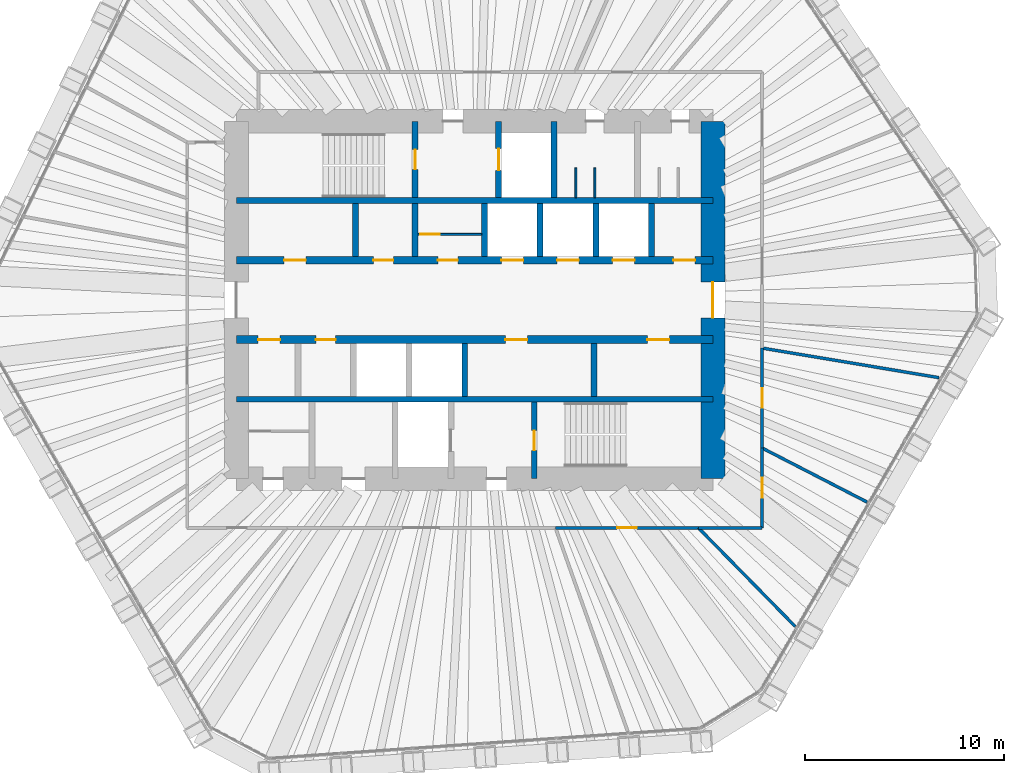
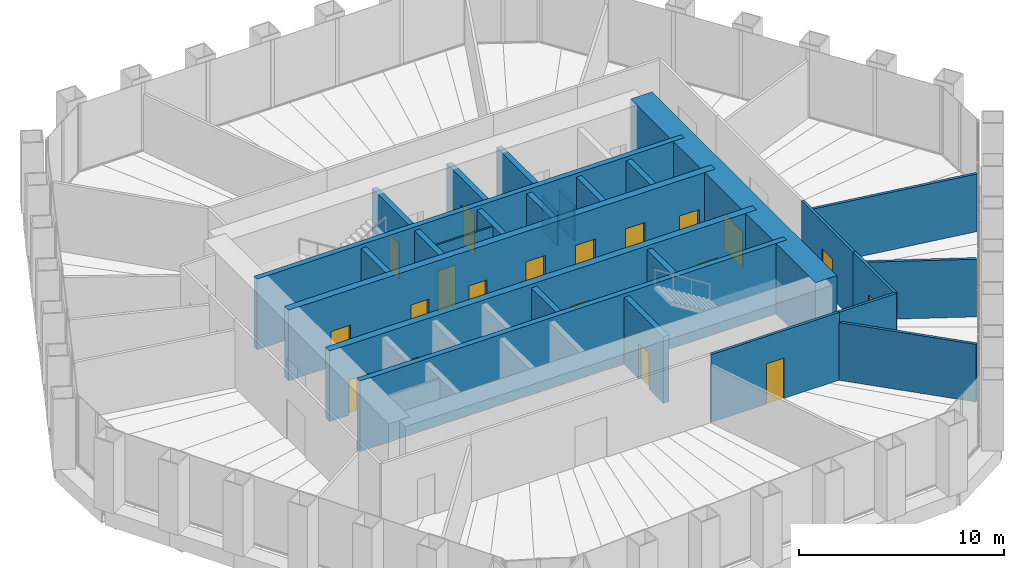
# One storey, part 10 of 12: 27 walls, 19 doors, 19 openings.
"""IFC4 building model written with IfcOpenShell, lengths in metres."""

from ifc_helpers import new_model, si_unit, direction, frame, frame_2d, origin, place, context, subcontext, project, spatial, rectangle, extrude, material, layer, layer_set, type_object, element, fill, save


model = new_model("IFC4")

# Units and contexts
model_context = context("Model", 3, precision=1e-05, world=origin(), true_north=direction((0.0, 1.0)))
body_context = subcontext(model_context, "Body", "Model", "MODEL_VIEW")
ifc_project = project(units=[si_unit("LENGTHUNIT", "METRE"), si_unit("AREAUNIT", "SQUARE_METRE"), si_unit("VOLUMEUNIT", "CUBIC_METRE"), si_unit("PLANEANGLEUNIT", "RADIAN"), si_unit("MASSUNIT", "GRAM", prefix="KILO")], contexts=[model_context])

# Site, building, storey
site_placement = place(None, origin())
site = spatial("IfcSite", under=ifc_project, at=site_placement, CompositionType="ELEMENT")
building_placement = place(site_placement, origin())
building = spatial("IfcBuilding", under=site, at=building_placement, Name="Qingtian Harvest Tower", CompositionType="ELEMENT")
storey_placement = place(building_placement, frame((0.0, 0.0, 184.60009765625)))
storey = spatial("IfcBuildingStorey", under=building, at=storey_placement, Name="L39", CompositionType="ELEMENT", Elevation=184.60009765625)

# Walls
ifc_material_1 = material(Name="Concrete fc' 70 MPa", Category="concrete")
ifc_layer_1 = layer(ifc_material_1, 0.300048828125)
ifc_layer_set_1 = layer_set([ifc_layer_1], Name="Core inner wall RC5 300")
wall_type_1 = type_object("IfcWallType", Name="Core inner wall RC5 300", PredefinedType="SHEAR", material=ifc_layer_set_1)
for number, where, z_axis, x_axis, name in (
    (1, (-12.0, 5.0, 0.0), (0.0, 0.0, 1.0), (1.0, 0.0, 0.0), "Core wall IN5 L39"),
    (2, (-12.0, -5.0, 0.0), (0.0, 0.0, 1.0), (1.0, 0.0, 0.0), "Core wall IS5 L39"),
):
    element("IfcWall", number, at=place(storey_placement, frame(where, z_axis=z_axis, x_axis=x_axis)), inside=storey, type_object=wall_type_1, Name=name, PredefinedType="SHEAR", context=body_context, shape_type="SweptSolid", body=[
        extrude(rectangle(XDim=24.0, YDim=0.300048828125, at=frame_2d((12.0, 0.0))), origin(), (0.0, 0.0, 1.0), 4.199951171875),
    ])

# Wall, openings, doors
ifc_material_2 = material(Name="Concrete fc' 70 MPa", Category="concrete")
ifc_layer_2 = layer(ifc_material_2, 0.39990234375)
ifc_layer_set_2 = layer_set([ifc_layer_2], Name="Core inner web RC6 400")
wall_type_2 = type_object("IfcWallType", Name="Core inner web RC6 400", PredefinedType="SHEAR", material=ifc_layer_set_2)
wall_1_placement = place(storey_placement, frame((-12.0, 2.0, 0.0), z_axis=(0.0, 0.0, 1.0), x_axis=(1.0, 0.0, 0.0)))
wall_1 = element("IfcWall", 3, at=wall_1_placement, inside=storey, type_object=wall_type_2, Name="Core wall IN2 L39", PredefinedType="SHEAR", context=body_context, shape_type="SweptSolid", body=[
    extrude(rectangle(XDim=24.0, YDim=0.39990234375, at=frame_2d((12.0, 0.0))), origin(), (0.0, 0.0, 1.0), 4.199951171875),
])
opening_1_placement = place(wall_1_placement, frame((2.39990234375, 0.0, 0.0)))
opening_1 = element("IfcOpeningElement", 4, at=opening_1_placement, cuts=wall_1, Name="Opening FD4", PredefinedType="OPENING", context=body_context, shape_type="SweptSolid", body=[
    extrude(rectangle(XDim=1.10009765625, YDim=2.10009765625, at=frame_2d((0.550048828125, 1.050048828125))), frame((0.0, 0.2099609375, 0.0), z_axis=(0.0, -1.0, 0.0), x_axis=(1.0, 0.0, 0.0)), (0.0, 0.0, 1.0), 0.419921875),
])
opening_2_placement = place(wall_1_placement, frame((22.0, 0.0, 0.0)))
opening_2 = element("IfcOpeningElement", 5, at=opening_2_placement, cuts=wall_1, Name="Opening FD4", PredefinedType="OPENING", context=body_context, shape_type="SweptSolid", body=[
    extrude(rectangle(XDim=1.10009765625, YDim=2.10009765625, at=frame_2d((0.550048828125, 1.050048828125))), frame((0.0, 0.2099609375, 0.0), z_axis=(0.0, -1.0, 0.0), x_axis=(1.0, 0.0, 0.0)), (0.0, 0.0, 1.0), 0.419921875),
])
opening_3_placement = place(wall_1_placement, frame((10.14990234375, 0.0, 0.0)))
opening_3 = element("IfcOpeningElement", 6, at=opening_3_placement, cuts=wall_1, Name="Opening FD1", PredefinedType="OPENING", context=body_context, shape_type="SweptSolid", body=[
    extrude(rectangle(XDim=1.0, YDim=2.10009765625, at=frame_2d((0.5, 1.050048828125))), frame((0.0, 0.2099609375, 0.0), z_axis=(0.0, -1.0, 0.0), x_axis=(1.0, 0.0, 0.0)), (0.0, 0.0, 1.0), 0.419921875),
])
opening_4_placement = place(wall_1_placement, frame((6.89990234375, 0.0, 0.0)))
opening_4 = element("IfcOpeningElement", 7, at=opening_4_placement, cuts=wall_1, Name="Opening FD1", PredefinedType="OPENING", context=body_context, shape_type="SweptSolid", body=[
    extrude(rectangle(XDim=1.0, YDim=2.10009765625, at=frame_2d((0.5, 1.050048828125))), frame((0.0, 0.2099609375, 0.0), z_axis=(0.0, -1.0, 0.0), x_axis=(1.0, 0.0, 0.0)), (0.0, 0.0, 1.0), 0.419921875),
])
opening_5_placement = place(wall_1_placement, frame((13.35009765625, 0.0, 0.0)))
opening_5 = element("IfcOpeningElement", 8, at=opening_5_placement, cuts=wall_1, Name="Opening LD1", PredefinedType="OPENING", context=body_context, shape_type="SweptSolid", body=[
    extrude(rectangle(XDim=1.10009765625, YDim=2.39990234375, at=frame_2d((0.550048828125, 1.199951171875))), frame((0.0, 0.2099609375, 0.0), z_axis=(0.0, -1.0, 0.0), x_axis=(1.0, 0.0, 0.0)), (0.0, 0.0, 1.0), 0.419921875),
])
opening_6_placement = place(wall_1_placement, frame((16.14990234375, 0.0, 0.0)))
opening_6 = element("IfcOpeningElement", 9, at=opening_6_placement, cuts=wall_1, Name="Opening LD1", PredefinedType="OPENING", context=body_context, shape_type="SweptSolid", body=[
    extrude(rectangle(XDim=1.10009765625, YDim=2.39990234375, at=frame_2d((0.550048828125, 1.199951171875))), frame((0.0, 0.2099609375, 0.0), z_axis=(0.0, -1.0, 0.0), x_axis=(1.0, 0.0, 0.0)), (0.0, 0.0, 1.0), 0.419921875),
])
opening_7_placement = place(wall_1_placement, frame((18.949951171875, 0.0, 0.0)))
opening_7 = element("IfcOpeningElement", 10, at=opening_7_placement, cuts=wall_1, Name="Opening LD1", PredefinedType="OPENING", context=body_context, shape_type="SweptSolid", body=[
    extrude(rectangle(XDim=1.10009765625, YDim=2.39990234375, at=frame_2d((0.550048828125, 1.199951171875))), frame((0.0, 0.2099609375, 0.0), z_axis=(0.0, -1.0, 0.0), x_axis=(1.0, 0.0, 0.0)), (0.0, 0.0, 1.0), 0.419921875),
])
ifc_material_3 = material(Name="Steel-faced door leaf", Category="steel")
door_type_1 = type_object("IfcDoorType", Name="Fire door FD1 single 1 HR", OperationType="SINGLE_SWING_LEFT", PredefinedType="DOOR", material=ifc_material_3)
door_1_placement = place(opening_3_placement, origin())
door_1 = element("IfcDoor", 11, at=door_1_placement, inside=storey, type_object=door_type_1, Name="STA door L39", OperationType="SINGLE_SWING_LEFT", OverallHeight=2.10009765625, OverallWidth=1.0, PredefinedType="DOOR", context=body_context, shape_type="SweptSolid", body=[
    extrude(rectangle(XDim=1.0, YDim=2.10009765625, at=frame_2d((0.5, 1.050048828125))), frame((0.0, 0.02490234375, 0.0), z_axis=(0.0, -1.0, 0.0), x_axis=(1.0, 0.0, 0.0)), (0.0, 0.0, 1.0), 0.050048828125),
])
fill(opening_3, door_1)
door_2_placement = place(opening_4_placement, origin())
door_2 = element("IfcDoor", 12, at=door_2_placement, inside=storey, type_object=door_type_1, Name="Staff WC door L39", OperationType="SINGLE_SWING_LEFT", OverallHeight=2.10009765625, OverallWidth=1.0, PredefinedType="DOOR", context=body_context, shape_type="SweptSolid", body=[
    extrude(rectangle(XDim=1.0, YDim=2.10009765625, at=frame_2d((0.5, 1.050048828125))), frame((0.0, 0.02490234375, 0.0), z_axis=(0.0, -1.0, 0.0), x_axis=(1.0, 0.0, 0.0)), (0.0, 0.0, 1.0), 0.050048828125),
])
fill(opening_4, door_2)
ifc_material_4 = material(Name="Steel-faced door leaf", Category="steel")
door_type_2 = type_object("IfcDoorType", Name="Fire door FD4 single 2 HR", OperationType="SINGLE_SWING_LEFT", PredefinedType="DOOR", material=ifc_material_4)
door_3_placement = place(opening_1_placement, origin())
door_3 = element("IfcDoor", 13, at=door_3_placement, inside=storey, type_object=door_type_2, Name="RA door L39", OperationType="SINGLE_SWING_LEFT", OverallHeight=2.10009765625, OverallWidth=1.10009765625, PredefinedType="DOOR", context=body_context, shape_type="SweptSolid", body=[
    extrude(rectangle(XDim=1.10009765625, YDim=2.10009765625, at=frame_2d((0.550048828125, 1.050048828125))), frame((0.0, 0.02490234375, 0.0), z_axis=(0.0, -1.0, 0.0), x_axis=(1.0, 0.0, 0.0)), (0.0, 0.0, 1.0), 0.050048828125),
])
fill(opening_1, door_3)
door_4_placement = place(opening_2_placement, origin())
door_4 = element("IfcDoor", 14, at=door_4_placement, inside=storey, type_object=door_type_2, Name="AHU door L39", OperationType="SINGLE_SWING_RIGHT", OverallHeight=2.10009765625, OverallWidth=1.10009765625, PredefinedType="DOOR", context=body_context, shape_type="SweptSolid", body=[
    extrude(rectangle(XDim=1.10009765625, YDim=2.10009765625, at=frame_2d((0.550048828125, 1.050048828125))), frame((0.0, 0.02490234375, 0.0), z_axis=(0.0, -1.0, 0.0), x_axis=(1.0, 0.0, 0.0)), (0.0, 0.0, 1.0), 0.050048828125),
])
fill(opening_2, door_4)
ifc_material_5 = material(Name="Stainless steel lift landing door", Category="steel")
door_type_3 = type_object("IfcDoorType", Name="Lift landing door LD1 1 HR", OperationType="DOUBLE_DOOR_SLIDING", PredefinedType="DOOR", material=ifc_material_5)
door_5_placement = place(opening_5_placement, origin())
door_5 = element("IfcDoor", 15, at=door_5_placement, inside=storey, type_object=door_type_3, Name="PLC1 landing door L39", OperationType="DOUBLE_DOOR_SLIDING", OverallHeight=2.39990234375, OverallWidth=1.10009765625, PredefinedType="DOOR", context=body_context, shape_type="SweptSolid", body=[
    extrude(rectangle(XDim=1.10009765625, YDim=2.39990234375, at=frame_2d((0.550048828125, 1.199951171875))), frame((0.0, 0.02490234375, 0.0), z_axis=(0.0, -1.0, 0.0), x_axis=(1.0, 0.0, 0.0)), (0.0, 0.0, 1.0), 0.050048828125),
])
fill(opening_5, door_5)
door_6_placement = place(opening_6_placement, origin())
door_6 = element("IfcDoor", 16, at=door_6_placement, inside=storey, type_object=door_type_3, Name="PLC2 landing door L39", OperationType="DOUBLE_DOOR_SLIDING", OverallHeight=2.39990234375, OverallWidth=1.10009765625, PredefinedType="DOOR", context=body_context, shape_type="SweptSolid", body=[
    extrude(rectangle(XDim=1.10009765625, YDim=2.39990234375, at=frame_2d((0.550048828125, 1.199951171875))), frame((0.0, 0.02490234375, 0.0), z_axis=(0.0, -1.0, 0.0), x_axis=(1.0, 0.0, 0.0)), (0.0, 0.0, 1.0), 0.050048828125),
])
fill(opening_6, door_6)
door_7_placement = place(opening_7_placement, origin())
door_7 = element("IfcDoor", 17, at=door_7_placement, inside=storey, type_object=door_type_3, Name="PLC3 landing door L39", OperationType="DOUBLE_DOOR_SLIDING", OverallHeight=2.39990234375, OverallWidth=1.10009765625, PredefinedType="DOOR", context=body_context, shape_type="SweptSolid", body=[
    extrude(rectangle(XDim=1.10009765625, YDim=2.39990234375, at=frame_2d((0.550048828125, 1.199951171875))), frame((0.0, 0.02490234375, 0.0), z_axis=(0.0, -1.0, 0.0), x_axis=(1.0, 0.0, 0.0)), (0.0, 0.0, 1.0), 0.050048828125),
])
fill(opening_7, door_7)

wall_2_placement = place(storey_placement, frame((-12.0, -2.0, 0.0), z_axis=(0.0, 0.0, 1.0), x_axis=(1.0, 0.0, 0.0)))
wall_2 = element("IfcWall", 18, at=wall_2_placement, inside=storey, type_object=wall_type_2, Name="Core wall IS2 L39", PredefinedType="SHEAR", context=body_context, shape_type="SweptSolid", body=[
    extrude(rectangle(XDim=24.0, YDim=0.39990234375, at=frame_2d((12.0, 0.0))), origin(), (0.0, 0.0, 1.0), 4.199951171875),
])
opening_8_placement = place(wall_2_placement, frame((1.10009765625, 0.0, 0.0)))
opening_8 = element("IfcOpeningElement", 19, at=opening_8_placement, cuts=wall_2, Name="Opening FD4", PredefinedType="OPENING", context=body_context, shape_type="SweptSolid", body=[
    extrude(rectangle(XDim=1.10009765625, YDim=2.10009765625, at=frame_2d((0.550048828125, 1.050048828125))), frame((0.0, 0.2099609375, 0.0), z_axis=(0.0, -1.0, 0.0), x_axis=(1.0, 0.0, 0.0)), (0.0, 0.0, 1.0), 0.419921875),
])
opening_9_placement = place(wall_2_placement, frame((13.550048828125, 0.0, 0.0)))
opening_9 = element("IfcOpeningElement", 20, at=opening_9_placement, cuts=wall_2, Name="Opening FD4", PredefinedType="OPENING", context=body_context, shape_type="SweptSolid", body=[
    extrude(rectangle(XDim=1.10009765625, YDim=2.10009765625, at=frame_2d((0.550048828125, 1.050048828125))), frame((0.0, 0.2099609375, 0.0), z_axis=(0.0, -1.0, 0.0), x_axis=(1.0, 0.0, 0.0)), (0.0, 0.0, 1.0), 0.419921875),
])
opening_10_placement = place(wall_2_placement, frame((20.699951171875, 0.0, 0.0)))
opening_10 = element("IfcOpeningElement", 21, at=opening_10_placement, cuts=wall_2, Name="Opening FD4", PredefinedType="OPENING", context=body_context, shape_type="SweptSolid", body=[
    extrude(rectangle(XDim=1.10009765625, YDim=2.10009765625, at=frame_2d((0.550048828125, 1.050048828125))), frame((0.0, 0.2099609375, 0.0), z_axis=(0.0, -1.0, 0.0), x_axis=(1.0, 0.0, 0.0)), (0.0, 0.0, 1.0), 0.419921875),
])
opening_11_placement = place(wall_2_placement, frame((4.0, 0.0, 0.0)))
opening_11 = element("IfcOpeningElement", 22, at=opening_11_placement, cuts=wall_2, Name="Opening FD1", PredefinedType="OPENING", context=body_context, shape_type="SweptSolid", body=[
    extrude(rectangle(XDim=1.0, YDim=2.10009765625, at=frame_2d((0.5, 1.050048828125))), frame((0.0, 0.2099609375, 0.0), z_axis=(0.0, -1.0, 0.0), x_axis=(1.0, 0.0, 0.0)), (0.0, 0.0, 1.0), 0.419921875),
])
door_8_placement = place(opening_11_placement, origin())
door_8 = element("IfcDoor", 23, at=door_8_placement, inside=storey, type_object=door_type_1, Name="IT room door L39", OperationType="SINGLE_SWING_RIGHT", OverallHeight=2.10009765625, OverallWidth=1.0, PredefinedType="DOOR", context=body_context, shape_type="SweptSolid", body=[
    extrude(rectangle(XDim=1.0, YDim=2.10009765625, at=frame_2d((0.5, 1.050048828125))), frame((0.0, 0.02490234375, 0.0), z_axis=(0.0, -1.0, 0.0), x_axis=(1.0, 0.0, 0.0)), (0.0, 0.0, 1.0), 0.050048828125),
])
fill(opening_11, door_8)
door_9_placement = place(opening_8_placement, origin())
door_9 = element("IfcDoor", 24, at=door_9_placement, inside=storey, type_object=door_type_2, Name="RB door L39", OperationType="SINGLE_SWING_RIGHT", OverallHeight=2.10009765625, OverallWidth=1.10009765625, PredefinedType="DOOR", context=body_context, shape_type="SweptSolid", body=[
    extrude(rectangle(XDim=1.10009765625, YDim=2.10009765625, at=frame_2d((0.550048828125, 1.050048828125))), frame((0.0, 0.02490234375, 0.0), z_axis=(0.0, -1.0, 0.0), x_axis=(1.0, 0.0, 0.0)), (0.0, 0.0, 1.0), 0.050048828125),
])
fill(opening_8, door_9)
door_10_placement = place(opening_9_placement, origin())
door_10 = element("IfcDoor", 25, at=door_10_placement, inside=storey, type_object=door_type_2, Name="ELEC door L39", OperationType="SINGLE_SWING_LEFT", OverallHeight=2.10009765625, OverallWidth=1.10009765625, PredefinedType="DOOR", context=body_context, shape_type="SweptSolid", body=[
    extrude(rectangle(XDim=1.10009765625, YDim=2.10009765625, at=frame_2d((0.550048828125, 1.050048828125))), frame((0.0, 0.02490234375, 0.0), z_axis=(0.0, -1.0, 0.0), x_axis=(1.0, 0.0, 0.0)), (0.0, 0.0, 1.0), 0.050048828125),
])
fill(opening_9, door_10)
door_11_placement = place(opening_10_placement, origin())
door_11 = element("IfcDoor", 26, at=door_11_placement, inside=storey, type_object=door_type_2, Name="DUCT door L39", OperationType="SINGLE_SWING_LEFT", OverallHeight=2.10009765625, OverallWidth=1.10009765625, PredefinedType="DOOR", context=body_context, shape_type="SweptSolid", body=[
    extrude(rectangle(XDim=1.10009765625, YDim=2.10009765625, at=frame_2d((0.550048828125, 1.050048828125))), frame((0.0, 0.02490234375, 0.0), z_axis=(0.0, -1.0, 0.0), x_axis=(1.0, 0.0, 0.0)), (0.0, 0.0, 1.0), 0.050048828125),
])
fill(opening_10, door_11)

# Wall, opening, door
ifc_material_6 = material(Name="Precast concrete shaft panel", Category="concrete")
ifc_layer_3 = layer(ifc_material_6, 0.300048828125)
ifc_layer_set_3 = layer_set([ifc_layer_3], Name="Core shaft partition SW1 300")
wall_type_3 = type_object("IfcWallType", Name="Core shaft partition SW1 300", PredefinedType="PARTITIONING", material=ifc_layer_set_3)
wall_3_placement = place(storey_placement, frame((-3.0, 5.14990234375, 0.0), z_axis=(0.0, 0.0, 1.0), x_axis=(0.0, 1.0, 0.0)))
wall_3 = element("IfcWall", 27, at=wall_3_placement, inside=storey, type_object=wall_type_3, Name="Core shaft partition XN1 L39", PredefinedType="PARTITIONING", context=body_context, shape_type="SweptSolid", body=[
    extrude(rectangle(XDim=3.85009765625, YDim=0.300048828125, at=frame_2d((1.925048828125, 0.0))), origin(), (0.0, 0.0, 1.0), 3.97998046875),
])
opening_12_placement = place(wall_3_placement, frame((1.425048828125, 0.0, 0.0)))
opening_12 = element("IfcOpeningElement", 28, at=opening_12_placement, cuts=wall_3, Name="Opening FD1", PredefinedType="OPENING", context=body_context, shape_type="SweptSolid", body=[
    extrude(rectangle(XDim=1.0, YDim=2.10009765625, at=frame_2d((0.5, 1.050048828125))), frame((0.0, 0.159912109375, 0.0), z_axis=(0.0, -1.0, 0.0), x_axis=(1.0, 0.0, 0.0)), (0.0, 0.0, 1.0), 0.320068359375),
])
door_12_placement = place(opening_12_placement, origin())
door_12 = element("IfcDoor", 29, at=door_12_placement, inside=storey, type_object=door_type_1, Name="S1 door L39", OperationType="SINGLE_SWING_RIGHT", OverallHeight=2.10009765625, OverallWidth=1.0, PredefinedType="DOOR", context=body_context, shape_type="SweptSolid", body=[
    extrude(rectangle(XDim=1.0, YDim=2.10009765625, at=frame_2d((0.5, 1.050048828125))), frame((0.0, 0.02490234375, 0.0), z_axis=(0.0, -1.0, 0.0), x_axis=(1.0, 0.0, 0.0)), (0.0, 0.0, 1.0), 0.050048828125),
])
fill(opening_12, door_12)

wall_4_placement = place(storey_placement, frame((1.199951171875, 5.14990234375, 0.0), z_axis=(0.0, 0.0, 1.0), x_axis=(0.0, 1.0, 0.0)))
wall_4 = element("IfcWall", 30, at=wall_4_placement, inside=storey, type_object=wall_type_3, Name="Core shaft partition XN2 L39", PredefinedType="PARTITIONING", context=body_context, shape_type="SweptSolid", body=[
    extrude(rectangle(XDim=3.85009765625, YDim=0.300048828125, at=frame_2d((1.925048828125, 0.0))), origin(), (0.0, 0.0, 1.0), 3.97998046875),
])
opening_13_placement = place(wall_4_placement, frame((1.375, 0.0, 0.0)))
opening_13 = element("IfcOpeningElement", 31, at=opening_13_placement, cuts=wall_4, Name="Opening LD1", PredefinedType="OPENING", context=body_context, shape_type="SweptSolid", body=[
    extrude(rectangle(XDim=1.10009765625, YDim=2.39990234375, at=frame_2d((0.550048828125, 1.199951171875))), frame((0.0, 0.159912109375, 0.0), z_axis=(0.0, -1.0, 0.0), x_axis=(1.0, 0.0, 0.0)), (0.0, 0.0, 1.0), 0.320068359375),
])
door_13_placement = place(opening_13_placement, origin())
door_13 = element("IfcDoor", 32, at=door_13_placement, inside=storey, type_object=door_type_3, Name="FL1 landing door L39", OperationType="DOUBLE_DOOR_SLIDING", OverallHeight=2.39990234375, OverallWidth=1.10009765625, PredefinedType="DOOR", context=body_context, shape_type="SweptSolid", body=[
    extrude(rectangle(XDim=1.10009765625, YDim=2.39990234375, at=frame_2d((0.550048828125, 1.199951171875))), frame((0.0, 0.02490234375, 0.0), z_axis=(0.0, -1.0, 0.0), x_axis=(1.0, 0.0, 0.0)), (0.0, 0.0, 1.0), 0.050048828125),
])
fill(opening_13, door_13)

# Walls
wall_5_placement = place(storey_placement, frame((4.0, 5.14990234375, 0.0), z_axis=(0.0, 0.0, 1.0), x_axis=(0.0, 1.0, 0.0)))
element("IfcWall", 33, at=wall_5_placement, inside=storey, type_object=wall_type_3, Name="Core shaft partition XN3 L39", PredefinedType="PARTITIONING", context=body_context, shape_type="SweptSolid", body=[
    extrude(rectangle(XDim=3.85009765625, YDim=0.300048828125, at=frame_2d((1.925048828125, 0.0))), origin(), (0.0, 0.0, 1.0), 3.97998046875),
])
for number, where, z_axis, x_axis, name in (
    (34, (-6.0, 2.199951171875, 0.0), (0.0, 0.0, 1.0), (0.0, 1.0, 0.0), "Core shaft partition XA1 L39"),
    (35, (-3.0, 2.199951171875, 0.0), (0.0, 0.0, 1.0), (0.0, 1.0, 0.0), "Core shaft partition XA2 L39"),
    (36, (0.5, 2.199951171875, 0.0), (0.0, 0.0, 1.0), (0.0, 1.0, 0.0), "Core shaft partition XA3 L39"),
    (37, (3.300048828125, 2.199951171875, 0.0), (0.0, 0.0, 1.0), (0.0, 1.0, 0.0), "Core shaft partition XA4 L39"),
    (38, (6.10009765625, 2.199951171875, 0.0), (0.0, 0.0, 1.0), (0.0, 1.0, 0.0), "Core shaft partition XA5 L39"),
    (39, (8.89990234375, 2.199951171875, 0.0), (0.0, 0.0, 1.0), (0.0, 1.0, 0.0), "Core shaft partition XA6 L39"),
    (40, (-0.5, -4.85009765625, 0.0), (0.0, 0.0, 1.0), (0.0, 1.0, 0.0), "Core shaft partition XB4 L39"),
    (41, (6.0, -4.85009765625, 0.0), (0.0, 0.0, 1.0), (0.0, 1.0, 0.0), "Core shaft partition XB5 L39"),
):
    element("IfcWall", number, at=place(storey_placement, frame(where, z_axis=z_axis, x_axis=x_axis)), inside=storey, type_object=wall_type_3, Name=name, PredefinedType="PARTITIONING", context=body_context, shape_type="SweptSolid", body=[
        extrude(rectangle(XDim=2.650146484375, YDim=0.300048828125, at=frame_2d((1.3251953125, 0.0))), origin(), (0.0, 0.0, 1.0), 3.97998046875),
    ])

# Wall, opening, door
wall_6_placement = place(storey_placement, frame((3.0, -9.0, 0.0), z_axis=(0.0, 0.0, 1.0), x_axis=(0.0, 1.0, 0.0)))
wall_6 = element("IfcWall", 42, at=wall_6_placement, inside=storey, type_object=wall_type_3, Name="Core shaft partition XS4 L39", PredefinedType="PARTITIONING", context=body_context, shape_type="SweptSolid", body=[
    extrude(rectangle(XDim=3.85009765625, YDim=0.300048828125, at=frame_2d((1.925048828125, 0.0))), origin(), (0.0, 0.0, 1.0), 3.97998046875),
])
opening_14_placement = place(wall_6_placement, frame((1.425048828125, 0.0, 0.0)))
opening_14 = element("IfcOpeningElement", 43, at=opening_14_placement, cuts=wall_6, Name="Opening FD1", PredefinedType="OPENING", context=body_context, shape_type="SweptSolid", body=[
    extrude(rectangle(XDim=1.0, YDim=2.10009765625, at=frame_2d((0.5, 1.050048828125))), frame((0.0, 0.159912109375, 0.0), z_axis=(0.0, -1.0, 0.0), x_axis=(1.0, 0.0, 0.0)), (0.0, 0.0, 1.0), 0.320068359375),
])
door_14_placement = place(opening_14_placement, origin())
door_14 = element("IfcDoor", 44, at=door_14_placement, inside=storey, type_object=door_type_1, Name="S2 door L39", OperationType="SINGLE_SWING_RIGHT", OverallHeight=2.10009765625, OverallWidth=1.0, PredefinedType="DOOR", context=body_context, shape_type="SweptSolid", body=[
    extrude(rectangle(XDim=1.0, YDim=2.10009765625, at=frame_2d((0.5, 1.050048828125))), frame((0.0, 0.02490234375, 0.0), z_axis=(0.0, -1.0, 0.0), x_axis=(1.0, 0.0, 0.0)), (0.0, 0.0, 1.0), 0.050048828125),
])
fill(opening_14, door_14)

ifc_material_7 = material(Name="Concrete fc' 70 MPa", Category="concrete")
ifc_layer_4 = layer(ifc_material_7, 1.199951171875)
ifc_layer_set_4 = layer_set([ifc_layer_4], Name="Core wall RC2 1200")
wall_type_4 = type_object("IfcWallType", Name="Core wall RC2 1200", PredefinedType="SHEAR", material=ifc_layer_set_4)
wall_7_placement = place(storey_placement, frame((12.0, -9.0, 0.0), z_axis=(0.0, 0.0, 1.0), x_axis=(0.0, 1.0, 0.0)))
wall_7 = element("IfcWall", 45, at=wall_7_placement, inside=storey, type_object=wall_type_4, Name="Core wall CE L39", PredefinedType="SHEAR", context=body_context, shape_type="SweptSolid", body=[
    extrude(rectangle(XDim=18.0, YDim=1.199951171875, at=frame_2d((9.0, 0.0))), origin(), (0.0, 0.0, 1.0), 4.199951171875),
])
opening_15_placement = place(wall_7_placement, frame((8.10009765625, 0.0, 0.0)))
opening_15 = element("IfcOpeningElement", 46, at=opening_15_placement, cuts=wall_7, Name="Opening FD2", PredefinedType="OPENING", context=body_context, shape_type="SweptSolid", body=[
    extrude(rectangle(XDim=1.800048828125, YDim=2.10009765625, at=frame_2d((0.89990234375, 1.050048828125))), frame((0.0, 0.60986328125, 0.0), z_axis=(0.0, -1.0, 0.0), x_axis=(1.0, 0.0, 0.0)), (0.0, 0.0, 1.0), 1.219970703125),
])
ifc_material_8 = material(Name="Steel-faced door leaf", Category="steel")
door_type_4 = type_object("IfcDoorType", Name="Fire door FD2 double 1 HR", OperationType="DOUBLE_DOOR_DOUBLE_SWING", PredefinedType="DOOR", material=ifc_material_8)
door_15_placement = place(opening_15_placement, origin())
door_15 = element("IfcDoor", 47, at=door_15_placement, inside=storey, type_object=door_type_4, Name="LOBBY-E door L39", OperationType="DOUBLE_DOOR_DOUBLE_SWING", OverallHeight=2.10009765625, OverallWidth=1.800048828125, PredefinedType="DOOR", context=body_context, shape_type="SweptSolid", body=[
    extrude(rectangle(XDim=1.800048828125, YDim=2.10009765625, at=frame_2d((0.89990234375, 1.050048828125))), frame((0.0, 0.02490234375, 0.0), z_axis=(0.0, -1.0, 0.0), x_axis=(1.0, 0.0, 0.0)), (0.0, 0.0, 1.0), 0.050048828125),
])
fill(opening_15, door_15)

# Wall
ifc_material_9 = material(Name="Gypsum board on steel studs", Category="steel")
ifc_layer_5 = layer(ifc_material_9, 0.14990234375)
ifc_layer_set_5 = layer_set([ifc_layer_5], Name="Partition PT1 150")
wall_type_5 = type_object("IfcWallType", Name="Partition PT1 150", PredefinedType="PARTITIONING", material=ifc_layer_set_5)
wall_8_placement = place(storey_placement, frame((23.383056640625, -3.912109375, 0.0), z_axis=(0.0, 0.0, 1.0), x_axis=(-0.986293651891, 0.164999491631, 0.0)))
element("IfcWall", 48, at=wall_8_placement, inside=storey, type_object=wall_type_5, Name="Pantry wall L39", PredefinedType="PARTITIONING", context=body_context, shape_type="SweptSolid", body=[
    extrude(rectangle(XDim=9.03173828125, YDim=0.14990234375, at=frame_2d((4.515869140625, 0.0))), origin(), (0.0, 0.0, 1.0), 3.429931640625),
])

# Wall, opening, door
wall_9_placement = place(storey_placement, frame((14.47509765625, -2.421875, 0.0), z_axis=(0.0, 0.0, 1.0), x_axis=(0.0, -1.0, 0.0)))
wall_9 = element("IfcWall", 49, at=wall_9_placement, inside=storey, type_object=wall_type_5, Name="Pantry wall L39", PredefinedType="PARTITIONING", context=body_context, shape_type="SweptSolid", body=[
    extrude(rectangle(XDim=5.033203125, YDim=0.14990234375, at=frame_2d((2.5166015625, 0.0))), origin(), (0.0, 0.0, 1.0), 4.02978515625),
])
opening_16_placement = place(wall_9_placement, frame((2.0166015625, 0.0, 0.0)))
opening_16 = element("IfcOpeningElement", 50, at=opening_16_placement, cuts=wall_9, Name="Opening D2", PredefinedType="OPENING", context=body_context, shape_type="SweptSolid", body=[
    extrude(rectangle(XDim=1.0, YDim=2.39990234375, at=frame_2d((0.5, 1.199951171875))), frame((0.0, 0.0849609375, 0.0), z_axis=(0.0, -1.0, 0.0), x_axis=(1.0, 0.0, 0.0)), (0.0, 0.0, 1.0), 0.169921875),
])
ifc_material_10 = material(Name="Laminated timber door leaf", Category="wood")
door_type_5 = type_object("IfcDoorType", Name="Room door D2 single", OperationType="SINGLE_SWING_LEFT", PredefinedType="DOOR", material=ifc_material_10)
door_16_placement = place(opening_16_placement, origin())
door_16 = element("IfcDoor", 51, at=door_16_placement, inside=storey, type_object=door_type_5, Name="Pantry door L39", OperationType="SINGLE_SWING_RIGHT", OverallHeight=2.39990234375, OverallWidth=1.0, PredefinedType="DOOR", context=body_context, shape_type="SweptSolid", body=[
    extrude(rectangle(XDim=1.0, YDim=2.39990234375, at=frame_2d((0.5, 1.199951171875))), frame((0.0, 0.02490234375, 0.0), z_axis=(0.0, -1.0, 0.0), x_axis=(1.0, 0.0, 0.0)), (0.0, 0.0, 1.0), 0.050048828125),
])
fill(opening_16, door_16)

# Wall
wall_10_placement = place(storey_placement, frame((19.759033203125, -10.176513671875, 0.0), z_axis=(0.0, 0.0, 1.0), x_axis=(-0.889015092721, 0.457877893017, 0.0)))
element("IfcWall", 52, at=wall_10_placement, inside=storey, type_object=wall_type_5, Name="Print room wall L39", PredefinedType="PARTITIONING", context=body_context, shape_type="SweptSolid", body=[
    extrude(rectangle(XDim=5.943603515625, YDim=0.14990234375, at=frame_2d((2.9716796875, 0.0))), origin(), (0.0, 0.0, 1.0), 3.429931640625),
])

# Wall, opening, door
wall_11_placement = place(storey_placement, frame((14.47509765625, -7.455078125, 0.0), z_axis=(0.0, 0.0, 1.0), x_axis=(0.0, -1.0, 0.0)))
wall_11 = element("IfcWall", 53, at=wall_11_placement, inside=storey, type_object=wall_type_5, Name="Print room wall L39", PredefinedType="PARTITIONING", context=body_context, shape_type="SweptSolid", body=[
    extrude(rectangle(XDim=4.02001953125, YDim=0.14990234375, at=frame_2d((2.010009765625, 0.0))), origin(), (0.0, 0.0, 1.0), 4.02978515625),
])
opening_17_placement = place(wall_11_placement, frame((1.510009765625, 0.0, 0.0)))
opening_17 = element("IfcOpeningElement", 54, at=opening_17_placement, cuts=wall_11, Name="Opening D2", PredefinedType="OPENING", context=body_context, shape_type="SweptSolid", body=[
    extrude(rectangle(XDim=1.0, YDim=2.39990234375, at=frame_2d((0.5, 1.199951171875))), frame((0.0, 0.0849609375, 0.0), z_axis=(0.0, -1.0, 0.0), x_axis=(1.0, 0.0, 0.0)), (0.0, 0.0, 1.0), 0.169921875),
])
door_17_placement = place(opening_17_placement, origin())
door_17 = element("IfcDoor", 55, at=door_17_placement, inside=storey, type_object=door_type_5, Name="Print room door L39", OperationType="SINGLE_SWING_RIGHT", OverallHeight=2.39990234375, OverallWidth=1.0, PredefinedType="DOOR", context=body_context, shape_type="SweptSolid", body=[
    extrude(rectangle(XDim=1.0, YDim=2.39990234375, at=frame_2d((0.5, 1.199951171875))), frame((0.0, 0.02490234375, 0.0), z_axis=(0.0, -1.0, 0.0), x_axis=(1.0, 0.0, 0.0)), (0.0, 0.0, 1.0), 0.050048828125),
])
fill(opening_17, door_17)

# Walls
wall_12_placement = place(storey_placement, frame((14.47509765625, -11.47509765625, 0.0), z_axis=(0.0, 0.0, 1.0), x_axis=(-1.0, 0.0, 0.0)))
element("IfcWall", 56, at=wall_12_placement, inside=storey, type_object=wall_type_5, Name="Print room wall L39", PredefinedType="PARTITIONING", context=body_context, shape_type="SweptSolid", body=[
    extrude(rectangle(XDim=3.20947265625, YDim=0.14990234375, at=frame_2d((1.604736328125, 0.0))), origin(), (0.0, 0.0, 1.0), 4.02978515625),
])
wall_13_placement = place(storey_placement, frame((16.14453125, -16.4443359375, 0.0), z_axis=(0.0, 0.0, 1.0), x_axis=(-0.700591378209, 0.71356269576, 0.0)))
element("IfcWall", 57, at=wall_13_placement, inside=storey, type_object=wall_type_5, Name="Quiet room wall L39", PredefinedType="PARTITIONING", context=body_context, shape_type="SweptSolid", body=[
    extrude(rectangle(XDim=6.9638671875, YDim=0.14990234375, at=frame_2d((3.48193359375, 0.0))), origin(), (0.0, 0.0, 1.0), 3.429931640625),
])

# Wall, opening, door
wall_14_placement = place(storey_placement, frame((11.265625, -11.47509765625, 0.0), z_axis=(0.0, 0.0, 1.0), x_axis=(-1.0, 0.0, 0.0)))
wall_14 = element("IfcWall", 58, at=wall_14_placement, inside=storey, type_object=wall_type_5, Name="Quiet room wall L39", PredefinedType="PARTITIONING", context=body_context, shape_type="SweptSolid", body=[
    extrude(rectangle(XDim=7.196044921875, YDim=0.14990234375, at=frame_2d((3.59814453125, 0.0))), origin(), (0.0, 0.0, 1.0), 4.02978515625),
])
opening_18_placement = place(wall_14_placement, frame((3.09814453125, 0.0, 0.0)))
opening_18 = element("IfcOpeningElement", 59, at=opening_18_placement, cuts=wall_14, Name="Opening D2", PredefinedType="OPENING", context=body_context, shape_type="SweptSolid", body=[
    extrude(rectangle(XDim=1.0, YDim=2.39990234375, at=frame_2d((0.5, 1.199951171875))), frame((0.0, 0.0849609375, 0.0), z_axis=(0.0, -1.0, 0.0), x_axis=(1.0, 0.0, 0.0)), (0.0, 0.0, 1.0), 0.169921875),
])
door_18_placement = place(opening_18_placement, origin())
door_18 = element("IfcDoor", 60, at=door_18_placement, inside=storey, type_object=door_type_5, Name="Quiet room door L39", OperationType="SINGLE_SWING_RIGHT", OverallHeight=2.39990234375, OverallWidth=1.0, PredefinedType="DOOR", context=body_context, shape_type="SweptSolid", body=[
    extrude(rectangle(XDim=1.0, YDim=2.39990234375, at=frame_2d((0.5, 1.199951171875))), frame((0.0, 0.02490234375, 0.0), z_axis=(0.0, -1.0, 0.0), x_axis=(1.0, 0.0, 0.0)), (0.0, 0.0, 1.0), 0.050048828125),
])
fill(opening_18, door_18)

ifc_material_11 = material(Name="Concrete block partition", Category="concrete")
ifc_layer_6 = layer(ifc_material_11, 0.10009765625)
ifc_layer_set_6 = layer_set([ifc_layer_6], Name="Store partition PT3 100")
wall_type_6 = type_object("IfcWallType", Name="Store partition PT3 100", PredefinedType="PARTITIONING", material=ifc_layer_set_6)
wall_15_placement = place(storey_placement, frame((-2.85009765625, 3.300048828125, 0.0), z_axis=(0.0, 0.0, 1.0), x_axis=(1.0, 0.0, 0.0)))
wall_15 = element("IfcWall", 61, at=wall_15_placement, inside=storey, type_object=wall_type_6, Name="Archive store wall L39", PredefinedType="PARTITIONING", context=body_context, shape_type="SweptSolid", body=[
    extrude(rectangle(XDim=3.2001953125, YDim=0.10009765625, at=frame_2d((1.60009765625, 0.0))), origin(), (0.0, 0.0, 1.0), 3.97998046875),
])
opening_19_placement = place(wall_15_placement, frame((0.10009765625, 0.0, 0.0)))
opening_19 = element("IfcOpeningElement", 62, at=opening_19_placement, cuts=wall_15, Name="Opening D2", PredefinedType="OPENING", context=body_context, shape_type="SweptSolid", body=[
    extrude(rectangle(XDim=1.0, YDim=2.39990234375, at=frame_2d((0.5, 1.199951171875))), frame((0.0, 0.06005859375, 0.0), z_axis=(0.0, -1.0, 0.0), x_axis=(1.0, 0.0, 0.0)), (0.0, 0.0, 1.0), 0.1201171875),
])
door_19_placement = place(opening_19_placement, origin())
door_19 = element("IfcDoor", 63, at=door_19_placement, inside=storey, type_object=door_type_5, Name="Archive store door L39", OperationType="SINGLE_SWING_LEFT", OverallHeight=2.39990234375, OverallWidth=1.0, PredefinedType="DOOR", context=body_context, shape_type="SweptSolid", body=[
    extrude(rectangle(XDim=1.0, YDim=2.39990234375, at=frame_2d((0.5, 1.199951171875))), frame((0.0, 0.02490234375, 0.0), z_axis=(0.0, -1.0, 0.0), x_axis=(1.0, 0.0, 0.0)), (0.0, 0.0, 1.0), 0.050048828125),
])
fill(opening_19, door_19)

# Walls
ifc_material_12 = material(Name="Compact laminate cubicle partition", Category="plastic")
ifc_layer_7 = layer(ifc_material_12, 0.10009765625)
ifc_layer_set_7 = layer_set([ifc_layer_7], Name="WC cubicle partition WP1 100")
wall_type_7 = type_object("IfcWallType", Name="WC cubicle partition WP1 100", PredefinedType="PARTITIONING", material=ifc_layer_set_7)
for number, where, z_axis, x_axis, name in (
    (64, (5.10009765625, 5.14990234375, 0.0), (0.0, 0.0, 1.0), (0.0, 1.0, 0.0), "WC cubicle partition WCM L39"),
    (65, (6.050048828125, 5.14990234375, 0.0), (0.0, 0.0, 1.0), (0.0, 1.0, 0.0), "WC cubicle partition WCM L39"),
):
    element("IfcWall", number, at=place(storey_placement, frame(where, z_axis=z_axis, x_axis=x_axis)), inside=storey, type_object=wall_type_7, Name=name, PredefinedType="PARTITIONING", context=body_context, shape_type="SweptSolid", body=[
        extrude(rectangle(XDim=1.5, YDim=0.10009765625, at=frame_2d((0.75, 0.0))), origin(), (0.0, 0.0, 1.0), 2.099853515625),
    ])

save(model, "model.ifc")
